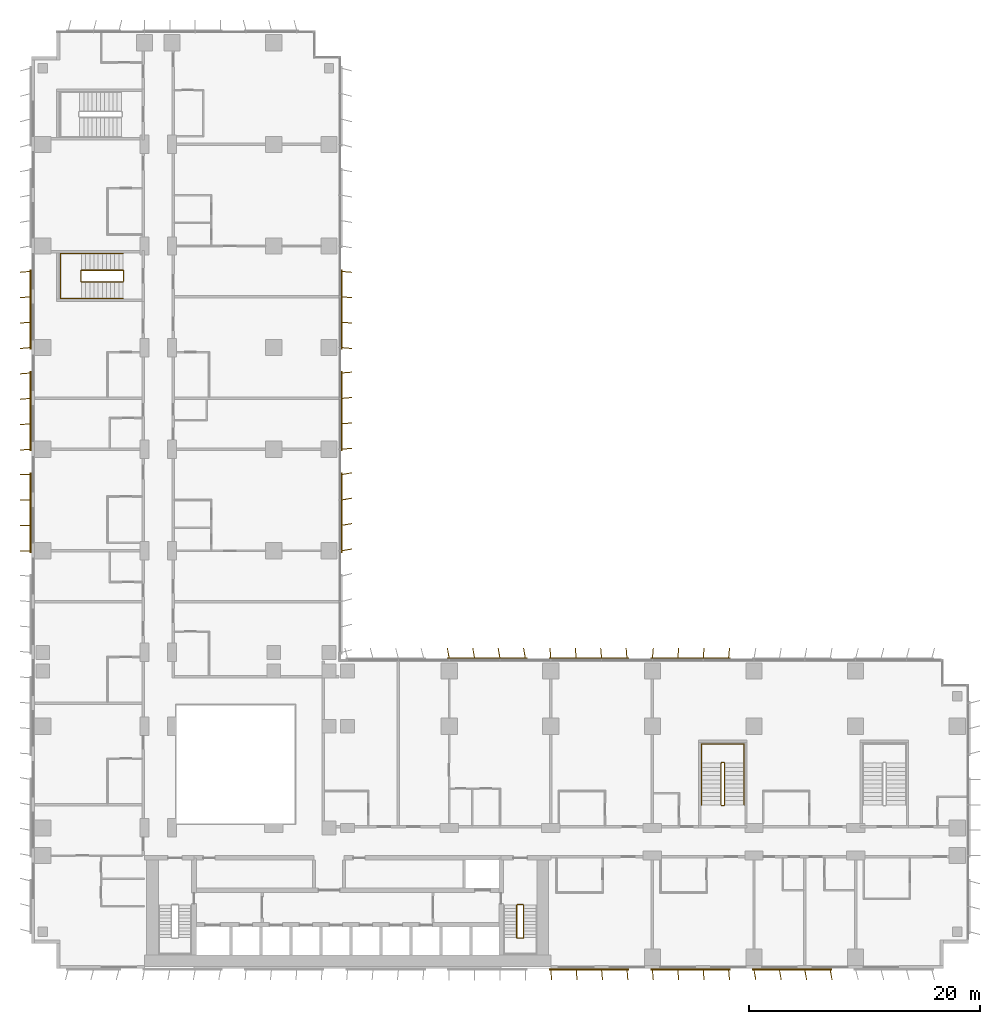
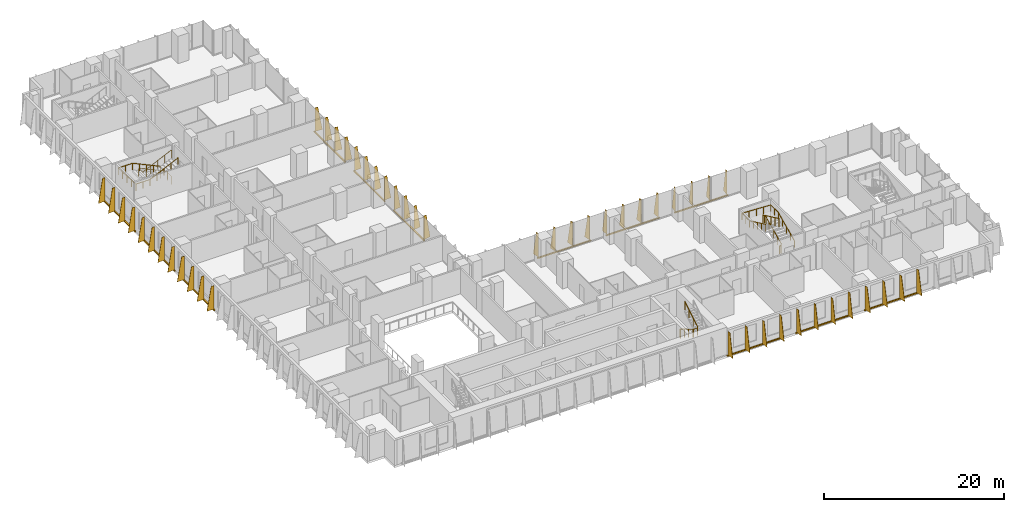
# One storey, part 22 of 24: 12 shading devices, 5 railings.
"""IFC4 building model written with IfcOpenShell, lengths in metres."""

from ifc_helpers import new_model, si_unit, direction, frame, origin, origin_2d, place, context, subcontext, project, spatial, polyline, rectangle, circle, outline, extrude, source, transform, mapped, material, layer, layer_set, type_object, element, save


model = new_model("IFC4")

# Units and contexts
model_context = context("Model", 3, precision=1e-05, world=origin(), true_north=direction((0.0, 1.0)))
body_context = subcontext(model_context, "Body", "Model", "MODEL_VIEW")
ifc_project = project(units=[si_unit("LENGTHUNIT", "METRE"), si_unit("AREAUNIT", "SQUARE_METRE"), si_unit("VOLUMEUNIT", "CUBIC_METRE"), si_unit("PLANEANGLEUNIT", "RADIAN"), si_unit("MASSUNIT", "GRAM", prefix="KILO")], contexts=[model_context])

# Site, building, storey
site_placement = place(None, origin())
site = spatial("IfcSite", under=ifc_project, at=site_placement, CompositionType="ELEMENT")
building_placement = place(site_placement, origin())
building = spatial("IfcBuilding", under=site, at=building_placement, Name="Kemantara Hotel Tower", CompositionType="ELEMENT")
storey_placement = place(building_placement, frame((0.0, 0.0, 45.10009765625)))
storey = spatial("IfcBuildingStorey", under=building, at=storey_placement, Name="L09", CompositionType="ELEMENT", Elevation=45.10009765625)

# Railings
ifc_material_1 = material(Name="Stainless steel balustrade", Category="steel")
railing_type_1 = type_object("IfcRailingType", Name="Stair guard 1100 mm", PredefinedType="GUARDRAIL", material=ifc_material_1)
railing_1_placement = place(storey_placement, frame((42.64990234375, 5.5, 3.699951171875)))
element("IfcRailing", 1, at=railing_1_placement, inside=storey, type_object=railing_type_1, Name="L09 ST2 stair guard 1", PredefinedType="GUARDRAIL", context=body_context, shape_type="SweptSolid", body=[
    extrude(circle(Radius=0.02392578125, at=origin_2d()), frame((0.0, 0.0, 1.076171875), z_axis=(0.0, -0.857242210791, -0.514913383045), x_axis=(1.0, 0.0, 0.0)), (0.0, 0.0, 1.0), 3.266357421875),
    extrude(circle(Radius=0.02392578125, at=origin_2d()), frame((0.0, -2.800048828125, -0.60595703125), z_axis=(-0.273006030465, -0.27434429532, -0.922064485248), x_axis=(0.708833529934, -0.705375805398, 0.0)), (0.0, 0.0, 1.0), 0.182373046875),
    extrude(circle(Radius=0.02392578125, at=origin_2d()), frame((-0.0498046875, -2.85009765625, -0.77392578125), z_axis=(-1.0, 0.0, 0.0), x_axis=(0.0, -1.0, 0.0)), (0.0, 0.0, 1.0), 0.5),
    extrude(circle(Radius=0.02392578125, at=origin_2d()), frame((-0.5498046875, -2.85009765625, -0.77392578125), z_axis=(-0.707106781187, 0.707106781187, 0.0), x_axis=(-0.707106781187, -0.707106781187, 0.0)), (0.0, 0.0, 1.0), 0.07080078125),
    extrude(circle(Radius=0.02392578125, at=origin_2d()), frame((-0.599853515625, -2.800048828125, -0.77392578125), z_axis=(0.0, 0.857242210791, -0.514913383045), x_axis=(-1.0, 0.0, 0.0)), (0.0, 0.0, 1.0), 3.266357421875),
    extrude(circle(Radius=0.02392578125, at=origin_2d()), frame((-0.599853515625, 0.0, -2.4560546875), z_axis=(0.274582412415, 0.274582412415, -0.921525364591), x_axis=(-0.707106781187, 0.707106781187, 0.0)), (0.0, 0.0, 1.0), 0.182373046875),
    extrude(circle(Radius=0.02392578125, at=origin_2d()), frame((-0.5498046875, 0.050048828125, -2.6240234375), z_axis=(1.0, 0.0, 0.0), x_axis=(0.0, 1.0, 0.0)), (0.0, 0.0, 1.0), 0.5),
    extrude(circle(Radius=0.02099609375, at=origin_2d()), origin(), (0.0, 0.0, 1.0), 1.052001953125),
    extrude(circle(Radius=0.02099609375, at=origin_2d()), frame((0.0, -0.933349609375, -0.560546875)), (0.0, 0.0, 1.0), 1.052001953125),
    extrude(circle(Radius=0.02099609375, at=origin_2d()), frame((0.0, -1.86669921875, -1.121337890625)), (0.0, 0.0, 1.0), 1.052001953125),
    extrude(circle(Radius=0.02099609375, at=origin_2d()), frame((0.0, -2.800048828125, -1.681884765625)), (0.0, 0.0, 1.0), 1.052001953125),
    extrude(circle(Radius=0.02099609375, at=origin_2d()), frame((-0.0498046875, -2.85009765625, -1.85009765625)), (0.0, 0.0, 1.0), 1.052001953125),
    extrude(circle(Radius=0.02099609375, at=origin_2d()), frame((-0.5498046875, -2.85009765625, -1.85009765625)), (0.0, 0.0, 1.0), 1.052001953125),
    extrude(circle(Radius=0.02099609375, at=origin_2d()), frame((-0.599853515625, -2.800048828125, -1.85009765625)), (0.0, 0.0, 1.0), 1.052001953125),
    extrude(circle(Radius=0.02099609375, at=origin_2d()), frame((-0.599853515625, -1.86669921875, -2.41064453125)), (0.0, 0.0, 1.0), 1.052001953125),
    extrude(circle(Radius=0.02099609375, at=origin_2d()), frame((-0.599853515625, -0.933349609375, -2.971435546875)), (0.0, 0.0, 1.0), 1.052001953125),
    extrude(circle(Radius=0.02099609375, at=origin_2d()), frame((-0.599853515625, 0.0, -3.531982421875)), (0.0, 0.0, 1.0), 1.052001953125),
    extrude(circle(Radius=0.02099609375, at=origin_2d()), frame((-0.5498046875, 0.050048828125, -3.699951171875)), (0.0, 0.0, 1.0), 1.052001953125),
    extrude(circle(Radius=0.02099609375, at=origin_2d()), frame((-0.0498046875, 0.050048828125, -3.699951171875)), (0.0, 0.0, 1.0), 1.052001953125),
])
railing_2_placement = place(storey_placement, frame((59.75, 14.199951171875, 3.699951171875)))
element("IfcRailing", 2, at=railing_2_placement, inside=storey, type_object=railing_type_1, Name="L09 ST3 stair guard 1", PredefinedType="GUARDRAIL", context=body_context, shape_type="SweptSolid", body=[
    extrude(circle(Radius=0.02392578125, at=origin_2d()), frame((0.0, 0.0, 1.076171875), z_axis=(0.0, 0.906005689286, -0.423265508849), x_axis=(-1.0, 0.0, 0.0)), (0.0, 0.0, 1.0), 3.9736328125),
    extrude(circle(Radius=0.02392578125, at=origin_2d()), frame((0.0, 3.60009765625, -0.60595703125), z_axis=(0.274243871929, 0.274243871929, -0.92172696468), x_axis=(-0.707106781187, 0.707106781187, 0.0)), (0.0, 0.0, 1.0), 0.1826171875),
    extrude(circle(Radius=0.02392578125, at=origin_2d()), frame((0.050048828125, 3.650146484375, -0.77392578125), z_axis=(1.0, 0.0, 0.0), x_axis=(0.0, 1.0, 0.0)), (0.0, 0.0, 1.0), 0.199951171875),
    extrude(circle(Radius=0.02392578125, at=origin_2d()), frame((0.25, 3.650146484375, -0.77392578125), z_axis=(0.707106781187, -0.707106781187, 0.0), x_axis=(0.707106781187, 0.707106781187, 0.0)), (0.0, 0.0, 1.0), 0.07080078125),
    extrude(circle(Radius=0.02392578125, at=origin_2d()), frame((0.300048828125, 3.60009765625, -0.77392578125), z_axis=(0.0, -0.906005689286, -0.423265508849), x_axis=(1.0, 0.0, 0.0)), (0.0, 0.0, 1.0), 3.9736328125),
    extrude(circle(Radius=0.02392578125, at=origin_2d()), frame((0.300048828125, 0.0, -2.4560546875), z_axis=(-0.274582412415, -0.274582412415, -0.921525364591), x_axis=(0.707106781187, -0.707106781187, 0.0)), (0.0, 0.0, 1.0), 0.182373046875),
    extrude(circle(Radius=0.02392578125, at=origin_2d()), frame((0.25, -0.050048828125, -2.6240234375), z_axis=(-1.0, 0.0, 0.0), x_axis=(0.0, -1.0, 0.0)), (0.0, 0.0, 1.0), 0.199951171875),
    extrude(circle(Radius=0.02099609375, at=origin_2d()), origin(), (0.0, 0.0, 1.0), 1.052001953125),
    extrude(circle(Radius=0.02099609375, at=origin_2d()), frame((0.0, 0.89990234375, -0.42041015625)), (0.0, 0.0, 1.0), 1.052001953125),
    extrude(circle(Radius=0.02099609375, at=origin_2d()), frame((0.0, 1.800048828125, -0.8408203125)), (0.0, 0.0, 1.0), 1.052001953125),
    extrude(circle(Radius=0.02099609375, at=origin_2d()), frame((0.0, 2.7001953125, -1.261474609375)), (0.0, 0.0, 1.0), 1.052001953125),
    extrude(circle(Radius=0.02099609375, at=origin_2d()), frame((0.0, 3.60009765625, -1.681884765625)), (0.0, 0.0, 1.0), 1.052001953125),
    extrude(circle(Radius=0.02099609375, at=origin_2d()), frame((0.050048828125, 3.650146484375, -1.85009765625)), (0.0, 0.0, 1.0), 1.052001953125),
    extrude(circle(Radius=0.02099609375, at=origin_2d()), frame((0.25, 3.650146484375, -1.85009765625)), (0.0, 0.0, 1.0), 1.052001953125),
    extrude(circle(Radius=0.02099609375, at=origin_2d()), frame((0.300048828125, 3.60009765625, -1.85009765625)), (0.0, 0.0, 1.0), 1.052001953125),
    extrude(circle(Radius=0.02099609375, at=origin_2d()), frame((0.300048828125, 2.7001953125, -2.2705078125)), (0.0, 0.0, 1.0), 1.052001953125),
    extrude(circle(Radius=0.02099609375, at=origin_2d()), frame((0.300048828125, 1.800048828125, -2.69091796875)), (0.0, 0.0, 1.0), 1.052001953125),
    extrude(circle(Radius=0.02099609375, at=origin_2d()), frame((0.300048828125, 0.89990234375, -3.111572265625)), (0.0, 0.0, 1.0), 1.052001953125),
    extrude(circle(Radius=0.02099609375, at=origin_2d()), frame((0.300048828125, 0.0, -3.531982421875)), (0.0, 0.0, 1.0), 1.052001953125),
    extrude(circle(Radius=0.02099609375, at=origin_2d()), frame((0.25, -0.050048828125, -3.699951171875)), (0.0, 0.0, 1.0), 1.052001953125),
    extrude(circle(Radius=0.02099609375, at=origin_2d()), frame((0.050048828125, -0.050048828125, -3.699951171875)), (0.0, 0.0, 1.0), 1.052001953125),
])
railing_3_placement = place(storey_placement, frame((7.949951171875, 59.5, 3.699951171875)))
element("IfcRailing", 3, at=railing_3_placement, inside=storey, type_object=railing_type_1, Name="L09 ST4 stair guard 1", PredefinedType="GUARDRAIL", context=body_context, shape_type="SweptSolid", body=[
    extrude(circle(Radius=0.02392578125, at=origin_2d()), frame((0.0, 0.0, 1.076171875), z_axis=(-0.905994681025, 0.0, -0.423289071386), x_axis=(0.0, -1.0, 0.0)), (0.0, 0.0, 1.0), 3.973388671875),
    extrude(circle(Radius=0.02392578125, at=origin_2d()), frame((-3.599853515625, 0.0, -0.60595703125), z_axis=(-0.274243871929, 0.274243871929, -0.92172696468), x_axis=(-0.707106781187, -0.707106781187, 0.0)), (0.0, 0.0, 1.0), 0.1826171875),
    extrude(circle(Radius=0.02392578125, at=origin_2d()), frame((-3.64990234375, 0.050048828125, -0.77392578125), z_axis=(0.0, 1.0, 0.0), x_axis=(-1.0, 0.0, 0.0)), (0.0, 0.0, 1.0), 0.89990234375),
    extrude(circle(Radius=0.02392578125, at=origin_2d()), frame((-3.64990234375, 0.949951171875, -0.77392578125), z_axis=(0.707106781187, 0.707106781187, 0.0), x_axis=(-0.707106781187, 0.707106781187, 0.0)), (0.0, 0.0, 1.0), 0.07080078125),
    extrude(circle(Radius=0.02392578125, at=origin_2d()), frame((-3.599853515625, 1.0, -0.77392578125), z_axis=(0.905994681025, 0.0, -0.423289071386), x_axis=(0.0, 1.0, 0.0)), (0.0, 0.0, 1.0), 3.973388671875),
    extrude(circle(Radius=0.02392578125, at=origin_2d()), frame((0.0, 1.0, -2.4560546875), z_axis=(0.274582412415, -0.274582412415, -0.921525364591), x_axis=(0.707106781187, 0.707106781187, 0.0)), (0.0, 0.0, 1.0), 0.182373046875),
    extrude(circle(Radius=0.02392578125, at=origin_2d()), frame((0.050048828125, 0.949951171875, -2.6240234375), z_axis=(0.0, -1.0, 0.0), x_axis=(1.0, 0.0, 0.0)), (0.0, 0.0, 1.0), 0.89990234375),
    extrude(circle(Radius=0.02099609375, at=origin_2d()), origin(), (0.0, 0.0, 1.0), 1.052001953125),
    extrude(circle(Radius=0.02099609375, at=origin_2d()), frame((-0.89990234375, 0.0, -0.42041015625)), (0.0, 0.0, 1.0), 1.052001953125),
    extrude(circle(Radius=0.02099609375, at=origin_2d()), frame((-1.7998046875, 0.0, -0.8408203125)), (0.0, 0.0, 1.0), 1.052001953125),
    extrude(circle(Radius=0.02099609375, at=origin_2d()), frame((-2.699951171875, 0.0, -1.261474609375)), (0.0, 0.0, 1.0), 1.052001953125),
    extrude(circle(Radius=0.02099609375, at=origin_2d()), frame((-3.599853515625, 0.0, -1.681884765625)), (0.0, 0.0, 1.0), 1.052001953125),
    extrude(circle(Radius=0.02099609375, at=origin_2d()), frame((-3.64990234375, 0.050048828125, -1.85009765625)), (0.0, 0.0, 1.0), 1.052001953125),
    extrude(circle(Radius=0.02099609375, at=origin_2d()), frame((-3.64990234375, 0.949951171875, -1.85009765625)), (0.0, 0.0, 1.0), 1.052001953125),
    extrude(circle(Radius=0.02099609375, at=origin_2d()), frame((-3.599853515625, 1.0, -1.85009765625)), (0.0, 0.0, 1.0), 1.052001953125),
    extrude(circle(Radius=0.02099609375, at=origin_2d()), frame((-2.699951171875, 1.0, -2.2705078125)), (0.0, 0.0, 1.0), 1.052001953125),
    extrude(circle(Radius=0.02099609375, at=origin_2d()), frame((-1.7998046875, 1.0, -2.69091796875)), (0.0, 0.0, 1.0), 1.052001953125),
    extrude(circle(Radius=0.02099609375, at=origin_2d()), frame((-0.89990234375, 1.0, -3.111572265625)), (0.0, 0.0, 1.0), 1.052001953125),
    extrude(circle(Radius=0.02099609375, at=origin_2d()), frame((0.0, 1.0, -3.531982421875)), (0.0, 0.0, 1.0), 1.052001953125),
    extrude(circle(Radius=0.02099609375, at=origin_2d()), frame((0.050048828125, 0.949951171875, -3.699951171875)), (0.0, 0.0, 1.0), 1.052001953125),
    extrude(circle(Radius=0.02099609375, at=origin_2d()), frame((0.050048828125, 0.050048828125, -3.699951171875)), (0.0, 0.0, 1.0), 1.052001953125),
])
railing_type_2 = type_object("IfcRailingType", Name="Stair handrail 900 mm", PredefinedType="HANDRAIL", material=ifc_material_1)
railing_4_placement = place(storey_placement, frame((61.75, 14.199951171875, 0.16796875)))
element("IfcRailing", 4, at=railing_4_placement, inside=storey, type_object=railing_type_2, Name="L09 ST3 stair handrail 1", PredefinedType="HANDRAIL", context=body_context, shape_type="SweptSolid", body=[
    extrude(circle(Radius=0.02392578125, at=origin_2d()), frame((0.0, 0.0, 0.8759765625), z_axis=(0.0, 0.906005689286, 0.423265508849), x_axis=(-1.0, 0.0, 0.0)), (0.0, 0.0, 1.0), 3.9736328125),
    extrude(circle(Radius=0.02392578125, at=origin_2d()), frame((0.0, 3.60009765625, 2.5576171875), z_axis=(0.0, 1.0, 0.0), x_axis=(-1.0, 0.0, 0.0)), (0.0, 0.0, 1.0), 1.679931640625),
    extrude(circle(Radius=0.02392578125, at=origin_2d()), frame((0.0, 5.280029296875, 2.5576171875), z_axis=(-0.998968132438, 0.0, 0.045416631029), x_axis=(0.0, -1.0, 0.0)), (0.0, 0.0, 1.0), 3.703857421875),
    extrude(circle(Radius=0.02392578125, at=origin_2d()), frame((-3.699951171875, 5.280029296875, 2.72607421875), z_axis=(0.0, -1.0, 0.0), x_axis=(1.0, 0.0, 0.0)), (0.0, 0.0, 1.0), 1.679931640625),
    extrude(circle(Radius=0.02392578125, at=origin_2d()), frame((-3.699951171875, 3.60009765625, 2.72607421875), z_axis=(0.0, -0.906005689286, 0.423265508849), x_axis=(1.0, 0.0, 0.0)), (0.0, 0.0, 1.0), 3.9736328125),
    extrude(circle(Radius=0.02099609375, at=origin_2d()), origin(), (0.0, 0.0, 1.0), 0.851806640625),
    extrude(circle(Radius=0.02099609375, at=origin_2d()), frame((0.0, 0.89990234375, 0.42041015625)), (0.0, 0.0, 1.0), 0.851806640625),
    extrude(circle(Radius=0.02099609375, at=origin_2d()), frame((0.0, 1.800048828125, 0.8408203125)), (0.0, 0.0, 1.0), 0.851806640625),
    extrude(circle(Radius=0.02099609375, at=origin_2d()), frame((0.0, 2.7001953125, 1.261474609375)), (0.0, 0.0, 1.0), 0.851806640625),
    extrude(circle(Radius=0.02099609375, at=origin_2d()), frame((0.0, 3.60009765625, 1.681884765625)), (0.0, 0.0, 1.0), 0.851806640625),
    extrude(circle(Radius=0.02099609375, at=origin_2d()), frame((0.0, 4.43994140625, 1.681884765625)), (0.0, 0.0, 1.0), 0.851806640625),
    extrude(circle(Radius=0.02099609375, at=origin_2d()), frame((0.0, 5.280029296875, 1.681884765625)), (0.0, 0.0, 1.0), 0.851806640625),
    extrude(circle(Radius=0.02099609375, at=origin_2d()), frame((-0.925048828125, 5.280029296875, 1.723876953125)), (0.0, 0.0, 1.0), 0.851806640625),
    extrude(circle(Radius=0.02099609375, at=origin_2d()), frame((-1.85009765625, 5.280029296875, 1.76611328125)), (0.0, 0.0, 1.0), 0.851806640625),
    extrude(circle(Radius=0.02099609375, at=origin_2d()), frame((-2.77490234375, 5.280029296875, 1.80810546875)), (0.0, 0.0, 1.0), 0.851806640625),
    extrude(circle(Radius=0.02099609375, at=origin_2d()), frame((-3.699951171875, 5.280029296875, 1.85009765625)), (0.0, 0.0, 1.0), 0.851806640625),
    extrude(circle(Radius=0.02099609375, at=origin_2d()), frame((-3.699951171875, 4.43994140625, 1.85009765625)), (0.0, 0.0, 1.0), 0.851806640625),
    extrude(circle(Radius=0.02099609375, at=origin_2d()), frame((-3.699951171875, 3.60009765625, 1.85009765625)), (0.0, 0.0, 1.0), 0.851806640625),
    extrude(circle(Radius=0.02099609375, at=origin_2d()), frame((-3.699951171875, 2.7001953125, 2.2705078125)), (0.0, 0.0, 1.0), 0.851806640625),
    extrude(circle(Radius=0.02099609375, at=origin_2d()), frame((-3.699951171875, 1.800048828125, 2.69091796875)), (0.0, 0.0, 1.0), 0.851806640625),
    extrude(circle(Radius=0.02099609375, at=origin_2d()), frame((-3.699951171875, 0.89990234375, 3.111572265625)), (0.0, 0.0, 1.0), 0.851806640625),
    extrude(circle(Radius=0.02099609375, at=origin_2d()), frame((-3.699951171875, 0.0, 3.531982421875)), (0.0, 0.0, 1.0), 0.851806640625),
])
railing_5_placement = place(storey_placement, frame((7.949951171875, 61.949951171875, 0.16796875)))
element("IfcRailing", 5, at=railing_5_placement, inside=storey, type_object=railing_type_2, Name="L09 ST4 stair handrail 1", PredefinedType="HANDRAIL", context=body_context, shape_type="SweptSolid", body=[
    extrude(circle(Radius=0.02392578125, at=origin_2d()), frame((0.0, 0.0, 0.8759765625), z_axis=(-0.905994681025, 0.0, 0.423289071386), x_axis=(0.0, -1.0, 0.0)), (0.0, 0.0, 1.0), 3.973388671875),
    extrude(circle(Radius=0.02392578125, at=origin_2d()), frame((-3.599853515625, 0.0, 2.5576171875), z_axis=(-1.0, 0.0, 0.0), x_axis=(0.0, -1.0, 0.0)), (0.0, 0.0, 1.0), 1.830078125),
    extrude(circle(Radius=0.02392578125, at=origin_2d()), frame((-5.429931640625, 0.0, 2.5576171875), z_axis=(0.0, -0.999071085748, 0.043092523981), x_axis=(1.0, 0.0, 0.0)), (0.0, 0.0, 1.0), 3.903564453125),
    extrude(circle(Radius=0.02392578125, at=origin_2d()), frame((-5.429931640625, -3.89990234375, 2.72607421875), z_axis=(1.0, 0.0, 0.0), x_axis=(0.0, 1.0, 0.0)), (0.0, 0.0, 1.0), 1.830078125),
    extrude(circle(Radius=0.02392578125, at=origin_2d()), frame((-3.599853515625, -3.89990234375, 2.72607421875), z_axis=(0.905994681025, 0.0, 0.423289071386), x_axis=(0.0, 1.0, 0.0)), (0.0, 0.0, 1.0), 3.973388671875),
    extrude(circle(Radius=0.02099609375, at=origin_2d()), origin(), (0.0, 0.0, 1.0), 0.851806640625),
    extrude(circle(Radius=0.02099609375, at=origin_2d()), frame((-0.89990234375, 0.0, 0.42041015625)), (0.0, 0.0, 1.0), 0.851806640625),
    extrude(circle(Radius=0.02099609375, at=origin_2d()), frame((-1.7998046875, 0.0, 0.8408203125)), (0.0, 0.0, 1.0), 0.851806640625),
    extrude(circle(Radius=0.02099609375, at=origin_2d()), frame((-2.699951171875, 0.0, 1.261474609375)), (0.0, 0.0, 1.0), 0.851806640625),
    extrude(circle(Radius=0.02099609375, at=origin_2d()), frame((-3.599853515625, 0.0, 1.681884765625)), (0.0, 0.0, 1.0), 0.851806640625),
    extrude(circle(Radius=0.02099609375, at=origin_2d()), frame((-4.514892578125, 0.0, 1.681884765625)), (0.0, 0.0, 1.0), 0.851806640625),
    extrude(circle(Radius=0.02099609375, at=origin_2d()), frame((-5.429931640625, 0.0, 1.681884765625)), (0.0, 0.0, 1.0), 0.851806640625),
    extrude(circle(Radius=0.02099609375, at=origin_2d()), frame((-5.429931640625, -0.97509765625, 1.723876953125)), (0.0, 0.0, 1.0), 0.851806640625),
    extrude(circle(Radius=0.02099609375, at=origin_2d()), frame((-5.429931640625, -1.949951171875, 1.76611328125)), (0.0, 0.0, 1.0), 0.851806640625),
    extrude(circle(Radius=0.02099609375, at=origin_2d()), frame((-5.429931640625, -2.9248046875, 1.80810546875)), (0.0, 0.0, 1.0), 0.851806640625),
    extrude(circle(Radius=0.02099609375, at=origin_2d()), frame((-5.429931640625, -3.89990234375, 1.85009765625)), (0.0, 0.0, 1.0), 0.851806640625),
    extrude(circle(Radius=0.02099609375, at=origin_2d()), frame((-4.514892578125, -3.89990234375, 1.85009765625)), (0.0, 0.0, 1.0), 0.851806640625),
    extrude(circle(Radius=0.02099609375, at=origin_2d()), frame((-3.599853515625, -3.89990234375, 1.85009765625)), (0.0, 0.0, 1.0), 0.851806640625),
    extrude(circle(Radius=0.02099609375, at=origin_2d()), frame((-2.699951171875, -3.89990234375, 2.2705078125)), (0.0, 0.0, 1.0), 0.851806640625),
    extrude(circle(Radius=0.02099609375, at=origin_2d()), frame((-1.7998046875, -3.89990234375, 2.69091796875)), (0.0, 0.0, 1.0), 0.851806640625),
    extrude(circle(Radius=0.02099609375, at=origin_2d()), frame((-0.89990234375, -3.89990234375, 3.111572265625)), (0.0, 0.0, 1.0), 0.851806640625),
    extrude(circle(Radius=0.02099609375, at=origin_2d()), frame((0.0, -3.89990234375, 3.531982421875)), (0.0, 0.0, 1.0), 0.851806640625),
])

# Shading devices
ifc_material_2 = material(Name="Perforated aluminium plate 4 mm bronze anodised", Category="aluminium")
ifc_layer_1 = layer(ifc_material_2, 0.0400390625)
ifc_layer_set_1 = layer_set([ifc_layer_1], Name="Perforated aluminium plate 4 mm bronze anodised")
shading_device_type_1 = type_object("IfcShadingDeviceType", Name="SCREEN FIN CASSETTE, 4 BLADES AT -5.0 DEG, 3200 HIGH", PredefinedType="USERDEFINED", material=ifc_layer_set_1)
shared_shape_1 = source(origin(), body_context, "Body", "SweptSolid", [
    extrude(rectangle(XDim=6.89990234375, YDim=0.14990234375, at=origin_2d()), frame((3.300048828125, -0.074951171875, -0.14990234375), z_axis=(0.0, 0.0, 1.0), x_axis=(1.0, 0.0, 0.0)), (0.0, 0.0, 1.0), 0.14990234375),
    extrude(outline(polyline([(0.0, 0.0), (0.89990234375, 0.0), (0.35009765625, 3.199951171875), (0.0, 3.199951171875), (0.0, 0.0)])), frame((0.02001953125, -0.07666015625, 0.0), z_axis=(-0.996376129781, 0.085056498884, 0.0), x_axis=(-0.085056498884, -0.996376129781, 0.0)), (0.0, 0.0, 1.0), 0.040283203125),
    extrude(outline(polyline([(0.0, 0.0), (0.89990234375, 0.0), (0.35009765625, 3.199951171875), (0.0, 3.199951171875), (0.0, 0.0)])), frame((2.219970703125, -0.07666015625, 0.0), z_axis=(-0.996331773833, 0.085574508182, 0.0), x_axis=(-0.085574508182, -0.996331773833, 0.0)), (0.0, 0.0, 1.0), 0.0400390625),
    extrude(outline(polyline([(0.0, 0.0), (0.89990234375, 0.0), (0.35009765625, 3.199951171875), (0.0, 3.199951171875), (0.0, 0.0)])), frame((4.419921875, -0.07666015625, 0.0), z_axis=(-0.996331773833, 0.085574508182, 0.0), x_axis=(-0.085574508182, -0.996331773833, 0.0)), (0.0, 0.0, 1.0), 0.0400390625),
    extrude(outline(polyline([(0.0, 0.0), (0.89990234375, 0.0), (0.35009765625, 3.199951171875), (0.0, 3.199951171875), (0.0, 0.0)])), frame((6.619873046875, -0.07666015625, 0.0), z_axis=(-0.996331773833, 0.085574508182, 0.0), x_axis=(-0.085574508182, -0.996331773833, 0.0)), (0.0, 0.0, 1.0), 0.0400390625),
])
for number, where, z_axis, x_axis, name in (
    (6, (60.39990234375, 26.800048828125, 0.099853515625), (0.0, 0.0, 1.0), (-1.0, 0.0, 0.0), "SCREEN FIN CASSETTE L09 T1-R07-3"),
    (7, (26.800048828125, 53.800048828125, 0.099853515625), (0.0, 0.0, 1.0), (0.0, 1.0, 0.0), "SCREEN FIN CASSETTE L09 T1-R08-4"),
):
    element("IfcShadingDevice", number, at=place(storey_placement, frame(where, z_axis=z_axis, x_axis=x_axis)), inside=storey, type_object=shading_device_type_1, Name=name, ObjectType="SCREEN FIN", PredefinedType="USERDEFINED", context=body_context, shape_type="MappedRepresentation", body=[
        mapped(shared_shape_1, transform((0.0, 0.0, 0.0))),
    ])
ifc_layer_2 = layer(ifc_material_2, 0.0400390625)
ifc_layer_set_2 = layer_set([ifc_layer_2], Name="Perforated aluminium plate 4 mm bronze anodised")
shading_device_type_2 = type_object("IfcShadingDeviceType", Name="SCREEN FIN CASSETTE, 4 BLADES AT +0.0 DEG, 3200 HIGH", PredefinedType="USERDEFINED", material=ifc_layer_set_2)
shared_shape_2 = source(origin(), body_context, "Body", "SweptSolid", [
    extrude(rectangle(XDim=6.89990234375, YDim=0.14990234375, at=origin_2d()), frame((3.300048828125, -0.074951171875, -0.14990234375), z_axis=(0.0, 0.0, 1.0), x_axis=(1.0, 0.0, 0.0)), (0.0, 0.0, 1.0), 0.14990234375),
    extrude(outline(polyline([(0.0, 0.0), (0.89990234375, 0.0), (0.35009765625, 3.199951171875), (0.0, 3.199951171875), (0.0, 0.0)])), frame((0.02001953125, -0.074951171875, 0.0), z_axis=(-1.0, 0.0, 0.0), x_axis=(0.0, -1.0, 0.0)), (0.0, 0.0, 1.0), 0.0400390625),
    extrude(outline(polyline([(0.0, 0.0), (0.89990234375, 0.0), (0.35009765625, 3.199951171875), (0.0, 3.199951171875), (0.0, 0.0)])), frame((2.219970703125, -0.074951171875, 0.0), z_axis=(-1.0, 0.0, 0.0), x_axis=(0.0, -1.0, 0.0)), (0.0, 0.0, 1.0), 0.0400390625),
    extrude(outline(polyline([(0.0, 0.0), (0.89990234375, 0.0), (0.35009765625, 3.199951171875), (0.0, 3.199951171875), (0.0, 0.0)])), frame((4.419921875, -0.074951171875, 0.0), z_axis=(-1.0, 0.0, 0.0), x_axis=(0.0, -1.0, 0.0)), (0.0, 0.0, 1.0), 0.0400390625),
    extrude(outline(polyline([(0.0, 0.0), (0.89990234375, 0.0), (0.35009765625, 3.199951171875), (0.0, 3.199951171875), (0.0, 0.0)])), frame((6.6201171875, -0.074951171875, 0.0), z_axis=(-1.0, 0.0, 0.0), x_axis=(0.0, -1.0, 0.0)), (0.0, 0.0, 1.0), 0.0400390625),
])
shading_device_placement = place(storey_placement, frame((0.0, 42.800048828125, 0.099853515625), z_axis=(0.0, 0.0, 1.0), x_axis=(0.0, -1.0, 0.0)))
element("IfcShadingDevice", 8, at=shading_device_placement, inside=storey, type_object=shading_device_type_2, Name="SCREEN FIN CASSETTE L09 T1-R14-5", ObjectType="SCREEN FIN", PredefinedType="USERDEFINED", context=body_context, shape_type="MappedRepresentation", body=[
    mapped(shared_shape_2, transform((0.0, 0.0, 0.0))),
])
ifc_layer_3 = layer(ifc_material_2, 0.0400390625)
ifc_layer_set_3 = layer_set([ifc_layer_3], Name="Perforated aluminium plate 4 mm bronze anodised")
shading_device_type_3 = type_object("IfcShadingDeviceType", Name="SCREEN FIN CASSETTE, 4 BLADES AT +5.0 DEG, 3200 HIGH", PredefinedType="USERDEFINED", material=ifc_layer_set_3)
shared_shape_3 = source(origin(), body_context, "Body", "SweptSolid", [
    extrude(rectangle(XDim=6.89990234375, YDim=0.14990234375, at=origin_2d()), frame((3.300048828125, -0.074951171875, -0.14990234375), z_axis=(0.0, 0.0, 1.0), x_axis=(1.0, 0.0, 0.0)), (0.0, 0.0, 1.0), 0.14990234375),
    extrude(outline(polyline([(0.0, 0.0), (0.89990234375, 0.0), (0.35009765625, 3.199951171875), (0.0, 3.199951171875), (0.0, 0.0)])), frame((0.02001953125, -0.0732421875, 0.0), z_axis=(-0.996376129781, -0.085056498884, 0.0), x_axis=(0.085056498884, -0.996376129781, 0.0)), (0.0, 0.0, 1.0), 0.040283203125),
    extrude(outline(polyline([(0.0, 0.0), (0.89990234375, 0.0), (0.35009765625, 3.199951171875), (0.0, 3.199951171875), (0.0, 0.0)])), frame((2.219970703125, -0.0732421875, 0.0), z_axis=(-0.996331773833, -0.085574508182, 0.0), x_axis=(0.085574508182, -0.996331773833, 0.0)), (0.0, 0.0, 1.0), 0.0400390625),
    extrude(outline(polyline([(0.0, 0.0), (0.89990234375, 0.0), (0.35009765625, 3.199951171875), (0.0, 3.199951171875), (0.0, 0.0)])), frame((4.419921875, -0.0732421875, 0.0), z_axis=(-0.996331773833, -0.085574508182, 0.0), x_axis=(0.085574508182, -0.996331773833, 0.0)), (0.0, 0.0, 1.0), 0.0400390625),
    extrude(outline(polyline([(0.0, 0.0), (0.89990234375, 0.0), (0.35009765625, 3.199951171875), (0.0, 3.199951171875), (0.0, 0.0)])), frame((6.619873046875, -0.0732421875, 0.0), z_axis=(-0.996331773833, -0.085574508182, 0.0), x_axis=(0.085574508182, -0.996331773833, 0.0)), (0.0, 0.0, 1.0), 0.0400390625),
])
for number, where, z_axis, x_axis, name in (
    (9, (45.0, 0.0, 0.099853515625), (0.0, 0.0, 1.0), (1.0, 0.0, 0.0), "SCREEN FIN CASSETTE L09 T1-R01-6"),
    (10, (53.800048828125, 0.0, 0.099853515625), (0.0, 0.0, 1.0), (1.0, 0.0, 0.0), "SCREEN FIN CASSETTE L09 T1-R01-7"),
    (11, (51.60009765625, 26.800048828125, 0.099853515625), (0.0, 0.0, 1.0), (-1.0, 0.0, 0.0), "SCREEN FIN CASSETTE L09 T1-R07-4"),
    (12, (26.800048828125, 45.0, 0.099853515625), (0.0, 0.0, 1.0), (0.0, 1.0, 0.0), "SCREEN FIN CASSETTE L09 T1-R08-3"),
    (13, (0.0, 60.39990234375, 0.099853515625), (0.0, 0.0, 1.0), (0.0, -1.0, 0.0), "SCREEN FIN CASSETTE L09 T1-R14-3"),
    (14, (0.0, 51.60009765625, 0.099853515625), (0.0, 0.0, 1.0), (0.0, -1.0, 0.0), "SCREEN FIN CASSETTE L09 T1-R14-4"),
):
    element("IfcShadingDevice", number, at=place(storey_placement, frame(where, z_axis=z_axis, x_axis=x_axis)), inside=storey, type_object=shading_device_type_3, Name=name, ObjectType="SCREEN FIN", PredefinedType="USERDEFINED", context=body_context, shape_type="MappedRepresentation", body=[
        mapped(shared_shape_3, transform((0.0, 0.0, 0.0))),
    ])
ifc_layer_4 = layer(ifc_material_2, 0.0400390625)
ifc_layer_set_4 = layer_set([ifc_layer_4], Name="Perforated aluminium plate 4 mm bronze anodised")
shading_device_type_4 = type_object("IfcShadingDeviceType", Name="SCREEN FIN CASSETTE, 4 BLADES AT +10.0 DEG, 3200 HIGH", PredefinedType="USERDEFINED", material=ifc_layer_set_4)
shared_shape_4 = source(origin(), body_context, "Body", "SweptSolid", [
    extrude(rectangle(XDim=6.89990234375, YDim=0.14990234375, at=origin_2d()), frame((3.300048828125, -0.074951171875, -0.14990234375), z_axis=(0.0, 0.0, 1.0), x_axis=(1.0, 0.0, 0.0)), (0.0, 0.0, 1.0), 0.14990234375),
    extrude(outline(polyline([(0.0, 0.0), (0.89990234375, 0.0), (0.35009765625, 3.199951171875), (0.0, 3.199951171875), (0.0, 0.0)])), frame((0.019775390625, -0.071533203125, 0.0), z_axis=(-0.985389793052, -0.170314285219, 0.0), x_axis=(0.170314285219, -0.985389793052, 0.0)), (0.0, 0.0, 1.0), 0.0400390625),
    extrude(outline(polyline([(0.0, 0.0), (0.89990234375, 0.0), (0.35009765625, 3.199951171875), (0.0, 3.199951171875), (0.0, 0.0)])), frame((2.2197265625, -0.071533203125, 0.0), z_axis=(-0.98521175482, -0.171341174751, 0.0), x_axis=(0.171341174751, -0.98521175482, 0.0)), (0.0, 0.0, 1.0), 0.039794921875),
    extrude(outline(polyline([(0.0, 0.0), (0.89990234375, 0.0), (0.35009765625, 3.199951171875), (0.0, 3.199951171875), (0.0, 0.0)])), frame((4.419677734375, -0.071533203125, 0.0), z_axis=(-0.98521175482, -0.171341174751, 0.0), x_axis=(0.171341174751, -0.98521175482, 0.0)), (0.0, 0.0, 1.0), 0.039794921875),
    extrude(outline(polyline([(0.0, 0.0), (0.89990234375, 0.0), (0.35009765625, 3.199951171875), (0.0, 3.199951171875), (0.0, 0.0)])), frame((6.61962890625, -0.071533203125, 0.0), z_axis=(-0.98521175482, -0.171341174751, 0.0), x_axis=(0.171341174751, -0.98521175482, 0.0)), (0.0, 0.0, 1.0), 0.039794921875),
])
for number, where, z_axis, x_axis, name in (
    (15, (62.60009765625, 0.0, 0.099853515625), (0.0, 0.0, 1.0), (1.0, 0.0, 0.0), "SCREEN FIN CASSETTE L09 T1-R01-8"),
    (16, (42.800048828125, 26.800048828125, 0.099853515625), (0.0, 0.0, 1.0), (-1.0, 0.0, 0.0), "SCREEN FIN CASSETTE L09 T1-R07-5"),
    (17, (26.800048828125, 36.199951171875, 0.099853515625), (0.0, 0.0, 1.0), (0.0, 1.0, 0.0), "SCREEN FIN CASSETTE L09 T1-R08-2"),
):
    element("IfcShadingDevice", number, at=place(storey_placement, frame(where, z_axis=z_axis, x_axis=x_axis)), inside=storey, type_object=shading_device_type_4, Name=name, ObjectType="SCREEN FIN", PredefinedType="USERDEFINED", context=body_context, shape_type="MappedRepresentation", body=[
        mapped(shared_shape_4, transform((0.0, 0.0, 0.0))),
    ])

save(model, "model.ifc")
